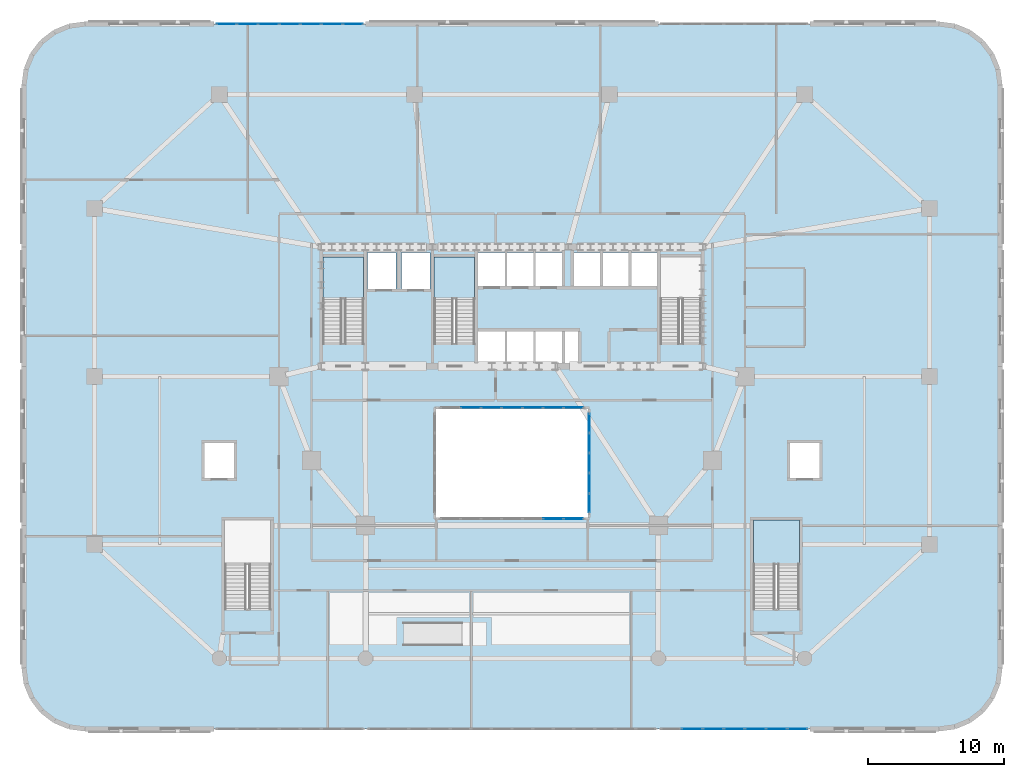
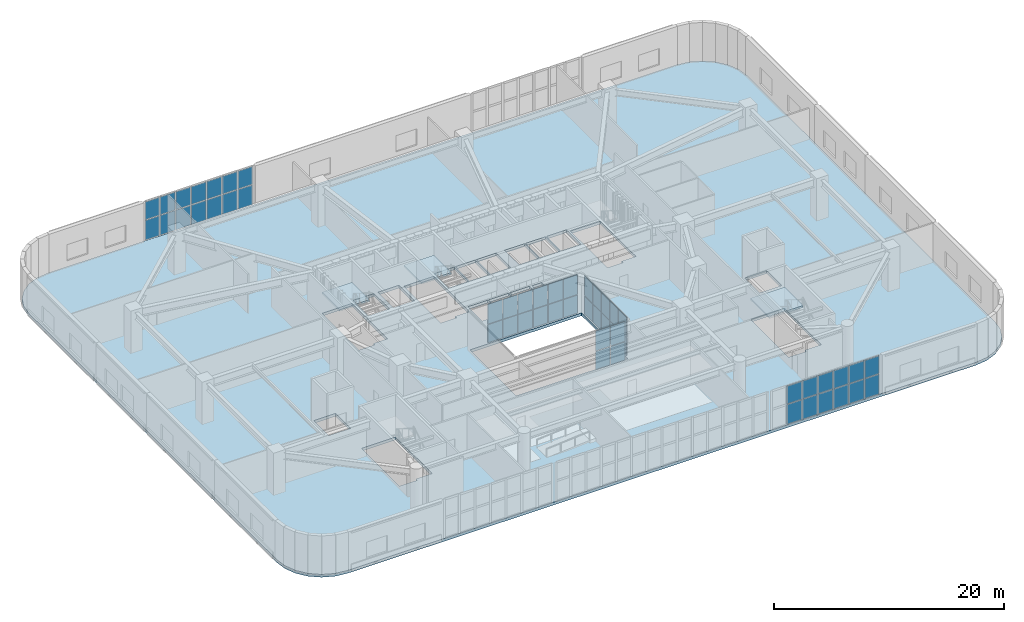
# One storey, part 12 of 25: 52 plates, 4 slabs, 8 elements without a shape of their own.
"""IFC4 building model written with IfcOpenShell, lengths in metres."""

from ifc_helpers import new_model, si_unit, direction, frame, origin, origin_2d, place, context, subcontext, project, spatial, polyline, rectangle, outline, extrude, material, layer, layer_set, type_object, element, aggregate, save


model = new_model("IFC4")

# Units and contexts
model_context = context("Model", 3, precision=1e-05, world=origin(), true_north=direction((0.0, 1.0)))
body_context = subcontext(model_context, "Body", "Model", "MODEL_VIEW")
ifc_project = project(units=[si_unit("LENGTHUNIT", "METRE"), si_unit("AREAUNIT", "SQUARE_METRE"), si_unit("VOLUMEUNIT", "CUBIC_METRE"), si_unit("PLANEANGLEUNIT", "RADIAN"), si_unit("MASSUNIT", "GRAM", prefix="KILO")], contexts=[model_context])

# Site, building, storey
site_placement = place(None, origin())
site = spatial("IfcSite", under=ifc_project, at=site_placement, CompositionType="ELEMENT")
building_placement = place(site_placement, origin())
building = spatial("IfcBuilding", under=site, at=building_placement, Name="Haldorwick Loom Tower", CompositionType="ELEMENT")
storey_placement = place(building_placement, frame((0.0, 0.0, 6.0)))
storey = spatial("IfcBuildingStorey", under=building, at=storey_placement, Name="L01", CompositionType="ELEMENT", Elevation=6.0)

# Curtain wall, plates
ifc_material_1 = material(Name="Thermally Broken Anodized Aluminium Curtain Wall Framing", Category="aluminium")
curtain_wall_type_1 = type_object("IfcCurtainWallType", Name="ARC-CW-01", PredefinedType="NOTDEFINED", material=ifc_material_1)
curtain_wall_1_placement = place(storey_placement, origin())
curtain_wall_1 = element("IfcCurtainWall", 1, at=curtain_wall_1_placement, inside=storey, type_object=curtain_wall_type_1, Name="L01 Facade Curtain Wall CW-01 Bay 20", PredefinedType="NOTDEFINED")
ifc_material_2 = material(Name="Triple-Glazed Low-E Argon Insulated Glazing Unit", Category="glass")
ifc_layer_1 = layer(ifc_material_2, 0.037109375, Name="Triple-Glazed Low-E Argon Insulated Glazing Unit", Category="glass")
ifc_layer_set_1 = layer_set([ifc_layer_1], Name="Triple-Glazed Low-E Argon Insulated Glazing Unit")
plate_type_1 = type_object("IfcPlateType", Name="ARC-CWP-01", PredefinedType="CURTAIN_PANEL", material=ifc_layer_set_1)
plate_1_placement = place(storey_placement, frame((24.26123046875, 52.0, 0.074951171875), z_axis=(0.0, 0.0, 1.0), x_axis=(-1.0, 0.0, 0.0)))
plate_1 = element("IfcPlate", 2, at=plate_1_placement, type_object=plate_type_1, Name="CW-01 panel 1.1", PredefinedType="CURTAIN_PANEL", context=body_context, shape_type="SweptSolid", body=[
    extrude(rectangle(XDim=1.447509765625, YDim=0.037109375, at=origin_2d()), origin(), (0.0, 0.0, 1.0), 2.08740234375),
])
plate_2_placement = place(storey_placement, frame((24.26123046875, 52.0, 2.2373046875), z_axis=(0.0, 0.0, 1.0), x_axis=(-1.0, 0.0, 0.0)))
plate_2 = element("IfcPlate", 3, at=plate_2_placement, type_object=plate_type_1, Name="CW-01 panel 1.2", PredefinedType="CURTAIN_PANEL", context=body_context, shape_type="SweptSolid", body=[
    extrude(rectangle(XDim=1.447509765625, YDim=0.037109375, at=origin_2d()), origin(), (0.0, 0.0, 1.0), 1.887451171875),
])
plate_3_placement = place(storey_placement, frame((22.719970703125, 52.0, 0.074951171875), z_axis=(0.0, 0.0, 1.0), x_axis=(-1.0, 0.0, 0.0)))
plate_3 = element("IfcPlate", 4, at=plate_3_placement, type_object=plate_type_1, Name="CW-01 panel 2.1", PredefinedType="CURTAIN_PANEL", context=body_context, shape_type="SweptSolid", body=[
    extrude(rectangle(XDim=1.485107421875, YDim=0.037109375, at=origin_2d()), origin(), (0.0, 0.0, 1.0), 2.08740234375),
])
plate_4_placement = place(storey_placement, frame((22.719970703125, 52.0, 2.2373046875), z_axis=(0.0, 0.0, 1.0), x_axis=(-1.0, 0.0, 0.0)))
plate_4 = element("IfcPlate", 5, at=plate_4_placement, type_object=plate_type_1, Name="CW-01 panel 2.2", PredefinedType="CURTAIN_PANEL", context=body_context, shape_type="SweptSolid", body=[
    extrude(rectangle(XDim=1.485107421875, YDim=0.037109375, at=origin_2d()), origin(), (0.0, 0.0, 1.0), 1.887451171875),
])
plate_5_placement = place(storey_placement, frame((21.159912109375, 52.0, 0.074951171875), z_axis=(0.0, 0.0, 1.0), x_axis=(-1.0, 0.0, 0.0)))
plate_5 = element("IfcPlate", 6, at=plate_5_placement, type_object=plate_type_1, Name="CW-01 panel 3.1", PredefinedType="CURTAIN_PANEL", context=body_context, shape_type="SweptSolid", body=[
    extrude(rectangle(XDim=1.485107421875, YDim=0.037109375, at=origin_2d()), origin(), (0.0, 0.0, 1.0), 2.08740234375),
])
plate_6_placement = place(storey_placement, frame((21.159912109375, 52.0, 2.2373046875), z_axis=(0.0, 0.0, 1.0), x_axis=(-1.0, 0.0, 0.0)))
plate_6 = element("IfcPlate", 7, at=plate_6_placement, type_object=plate_type_1, Name="CW-01 panel 3.2", PredefinedType="CURTAIN_PANEL", context=body_context, shape_type="SweptSolid", body=[
    extrude(rectangle(XDim=1.485107421875, YDim=0.037109375, at=origin_2d()), origin(), (0.0, 0.0, 1.0), 1.887451171875),
])
plate_7_placement = place(storey_placement, frame((19.60009765625, 52.0, 0.074951171875), z_axis=(0.0, 0.0, 1.0), x_axis=(-1.0, 0.0, 0.0)))
plate_7 = element("IfcPlate", 8, at=plate_7_placement, type_object=plate_type_1, Name="CW-01 panel 4.1", PredefinedType="CURTAIN_PANEL", context=body_context, shape_type="SweptSolid", body=[
    extrude(rectangle(XDim=1.485107421875, YDim=0.037109375, at=origin_2d()), origin(), (0.0, 0.0, 1.0), 2.08740234375),
])
plate_8_placement = place(storey_placement, frame((19.60009765625, 52.0, 2.2373046875), z_axis=(0.0, 0.0, 1.0), x_axis=(-1.0, 0.0, 0.0)))
plate_8 = element("IfcPlate", 9, at=plate_8_placement, type_object=plate_type_1, Name="CW-01 panel 4.2", PredefinedType="CURTAIN_PANEL", context=body_context, shape_type="SweptSolid", body=[
    extrude(rectangle(XDim=1.485107421875, YDim=0.037109375, at=origin_2d()), origin(), (0.0, 0.0, 1.0), 1.887451171875),
])
plate_9_placement = place(storey_placement, frame((18.0400390625, 52.0, 0.074951171875), z_axis=(0.0, 0.0, 1.0), x_axis=(-1.0, 0.0, 0.0)))
plate_9 = element("IfcPlate", 10, at=plate_9_placement, type_object=plate_type_1, Name="CW-01 panel 5.1", PredefinedType="CURTAIN_PANEL", context=body_context, shape_type="SweptSolid", body=[
    extrude(rectangle(XDim=1.485107421875, YDim=0.037109375, at=origin_2d()), origin(), (0.0, 0.0, 1.0), 2.08740234375),
])
plate_10_placement = place(storey_placement, frame((18.0400390625, 52.0, 2.2373046875), z_axis=(0.0, 0.0, 1.0), x_axis=(-1.0, 0.0, 0.0)))
plate_10 = element("IfcPlate", 11, at=plate_10_placement, type_object=plate_type_1, Name="CW-01 panel 5.2", PredefinedType="CURTAIN_PANEL", context=body_context, shape_type="SweptSolid", body=[
    extrude(rectangle(XDim=1.485107421875, YDim=0.037109375, at=origin_2d()), origin(), (0.0, 0.0, 1.0), 1.887451171875),
])
plate_11_placement = place(storey_placement, frame((16.47998046875, 52.0, 0.074951171875), z_axis=(0.0, 0.0, 1.0), x_axis=(-1.0, 0.0, 0.0)))
plate_11 = element("IfcPlate", 12, at=plate_11_placement, type_object=plate_type_1, Name="CW-01 panel 6.1", PredefinedType="CURTAIN_PANEL", context=body_context, shape_type="SweptSolid", body=[
    extrude(rectangle(XDim=1.485107421875, YDim=0.037109375, at=origin_2d()), origin(), (0.0, 0.0, 1.0), 2.08740234375),
])
plate_12_placement = place(storey_placement, frame((16.47998046875, 52.0, 2.2373046875), z_axis=(0.0, 0.0, 1.0), x_axis=(-1.0, 0.0, 0.0)))
plate_12 = element("IfcPlate", 13, at=plate_12_placement, type_object=plate_type_1, Name="CW-01 panel 6.2", PredefinedType="CURTAIN_PANEL", context=body_context, shape_type="SweptSolid", body=[
    extrude(rectangle(XDim=1.485107421875, YDim=0.037109375, at=origin_2d()), origin(), (0.0, 0.0, 1.0), 1.887451171875),
])
plate_13_placement = place(storey_placement, frame((14.938720703125, 52.0, 0.074951171875), z_axis=(0.0, 0.0, 1.0), x_axis=(-1.0, 0.0, 0.0)))
plate_13 = element("IfcPlate", 14, at=plate_13_placement, type_object=plate_type_1, Name="CW-01 panel 7.1", PredefinedType="CURTAIN_PANEL", context=body_context, shape_type="SweptSolid", body=[
    extrude(rectangle(XDim=1.447509765625, YDim=0.037109375, at=origin_2d()), origin(), (0.0, 0.0, 1.0), 2.08740234375),
])
plate_14_placement = place(storey_placement, frame((14.938720703125, 52.0, 2.2373046875), z_axis=(0.0, 0.0, 1.0), x_axis=(-1.0, 0.0, 0.0)))
plate_14 = element("IfcPlate", 15, at=plate_14_placement, type_object=plate_type_1, Name="CW-01 panel 7.2", PredefinedType="CURTAIN_PANEL", context=body_context, shape_type="SweptSolid", body=[
    extrude(rectangle(XDim=1.447509765625, YDim=0.037109375, at=origin_2d()), origin(), (0.0, 0.0, 1.0), 1.887451171875),
])
aggregate(curtain_wall_1, [plate_1, plate_2, plate_3, plate_4, plate_5, plate_6, plate_7, plate_8, plate_9, plate_10, plate_11, plate_12, plate_13, plate_14])

curtain_wall_2_placement = place(storey_placement, origin())
curtain_wall_2 = element("IfcCurtainWall", 16, at=curtain_wall_2_placement, inside=storey, type_object=curtain_wall_type_1, Name="L01 Facade Curtain Wall CW-01 Bay 41", PredefinedType="NOTDEFINED")
plate_15_placement = place(storey_placement, frame((49.280029296875, 0.0, 0.074951171875), z_axis=(0.0, 0.0, 1.0), x_axis=(1.0, 0.0, 0.0)))
plate_15 = element("IfcPlate", 17, at=plate_15_placement, type_object=plate_type_1, Name="CW-01 panel 2.1", PredefinedType="CURTAIN_PANEL", context=body_context, shape_type="SweptSolid", body=[
    extrude(rectangle(XDim=1.485107421875, YDim=0.037109375, at=origin_2d()), origin(), (0.0, 0.0, 1.0), 2.08740234375),
])
plate_16_placement = place(storey_placement, frame((49.280029296875, 0.0, 2.2373046875), z_axis=(0.0, 0.0, 1.0), x_axis=(1.0, 0.0, 0.0)))
plate_16 = element("IfcPlate", 18, at=plate_16_placement, type_object=plate_type_1, Name="CW-01 panel 2.2", PredefinedType="CURTAIN_PANEL", context=body_context, shape_type="SweptSolid", body=[
    extrude(rectangle(XDim=1.485107421875, YDim=0.037109375, at=origin_2d()), origin(), (0.0, 0.0, 1.0), 1.887451171875),
])
plate_17_placement = place(storey_placement, frame((50.840087890625, 0.0, 0.074951171875), z_axis=(0.0, 0.0, 1.0), x_axis=(1.0, 0.0, 0.0)))
plate_17 = element("IfcPlate", 19, at=plate_17_placement, type_object=plate_type_1, Name="CW-01 panel 3.1", PredefinedType="CURTAIN_PANEL", context=body_context, shape_type="SweptSolid", body=[
    extrude(rectangle(XDim=1.485107421875, YDim=0.037109375, at=origin_2d()), origin(), (0.0, 0.0, 1.0), 2.08740234375),
])
plate_18_placement = place(storey_placement, frame((50.840087890625, 0.0, 2.2373046875), z_axis=(0.0, 0.0, 1.0), x_axis=(1.0, 0.0, 0.0)))
plate_18 = element("IfcPlate", 20, at=plate_18_placement, type_object=plate_type_1, Name="CW-01 panel 3.2", PredefinedType="CURTAIN_PANEL", context=body_context, shape_type="SweptSolid", body=[
    extrude(rectangle(XDim=1.485107421875, YDim=0.037109375, at=origin_2d()), origin(), (0.0, 0.0, 1.0), 1.887451171875),
])
plate_19_placement = place(storey_placement, frame((52.39990234375, 0.0, 0.074951171875), z_axis=(0.0, 0.0, 1.0), x_axis=(1.0, 0.0, 0.0)))
plate_19 = element("IfcPlate", 21, at=plate_19_placement, type_object=plate_type_1, Name="CW-01 panel 4.1", PredefinedType="CURTAIN_PANEL", context=body_context, shape_type="SweptSolid", body=[
    extrude(rectangle(XDim=1.485107421875, YDim=0.037109375, at=origin_2d()), origin(), (0.0, 0.0, 1.0), 2.08740234375),
])
plate_20_placement = place(storey_placement, frame((52.39990234375, 0.0, 2.2373046875), z_axis=(0.0, 0.0, 1.0), x_axis=(1.0, 0.0, 0.0)))
plate_20 = element("IfcPlate", 22, at=plate_20_placement, type_object=plate_type_1, Name="CW-01 panel 4.2", PredefinedType="CURTAIN_PANEL", context=body_context, shape_type="SweptSolid", body=[
    extrude(rectangle(XDim=1.485107421875, YDim=0.037109375, at=origin_2d()), origin(), (0.0, 0.0, 1.0), 1.887451171875),
])
plate_21_placement = place(storey_placement, frame((53.9599609375, 0.0, 0.074951171875), z_axis=(0.0, 0.0, 1.0), x_axis=(1.0, 0.0, 0.0)))
plate_21 = element("IfcPlate", 23, at=plate_21_placement, type_object=plate_type_1, Name="CW-01 panel 5.1", PredefinedType="CURTAIN_PANEL", context=body_context, shape_type="SweptSolid", body=[
    extrude(rectangle(XDim=1.485107421875, YDim=0.037109375, at=origin_2d()), origin(), (0.0, 0.0, 1.0), 2.08740234375),
])
plate_22_placement = place(storey_placement, frame((53.9599609375, 0.0, 2.2373046875), z_axis=(0.0, 0.0, 1.0), x_axis=(1.0, 0.0, 0.0)))
plate_22 = element("IfcPlate", 24, at=plate_22_placement, type_object=plate_type_1, Name="CW-01 panel 5.2", PredefinedType="CURTAIN_PANEL", context=body_context, shape_type="SweptSolid", body=[
    extrude(rectangle(XDim=1.485107421875, YDim=0.037109375, at=origin_2d()), origin(), (0.0, 0.0, 1.0), 1.887451171875),
])
plate_23_placement = place(storey_placement, frame((55.52001953125, 0.0, 0.074951171875), z_axis=(0.0, 0.0, 1.0), x_axis=(1.0, 0.0, 0.0)))
plate_23 = element("IfcPlate", 25, at=plate_23_placement, type_object=plate_type_1, Name="CW-01 panel 6.1", PredefinedType="CURTAIN_PANEL", context=body_context, shape_type="SweptSolid", body=[
    extrude(rectangle(XDim=1.485107421875, YDim=0.037109375, at=origin_2d()), origin(), (0.0, 0.0, 1.0), 2.08740234375),
])
plate_24_placement = place(storey_placement, frame((55.52001953125, 0.0, 2.2373046875), z_axis=(0.0, 0.0, 1.0), x_axis=(1.0, 0.0, 0.0)))
plate_24 = element("IfcPlate", 26, at=plate_24_placement, type_object=plate_type_1, Name="CW-01 panel 6.2", PredefinedType="CURTAIN_PANEL", context=body_context, shape_type="SweptSolid", body=[
    extrude(rectangle(XDim=1.485107421875, YDim=0.037109375, at=origin_2d()), origin(), (0.0, 0.0, 1.0), 1.887451171875),
])
plate_25_placement = place(storey_placement, frame((57.061279296875, 0.0, 0.074951171875), z_axis=(0.0, 0.0, 1.0), x_axis=(1.0, 0.0, 0.0)))
plate_25 = element("IfcPlate", 27, at=plate_25_placement, type_object=plate_type_1, Name="CW-01 panel 7.1", PredefinedType="CURTAIN_PANEL", context=body_context, shape_type="SweptSolid", body=[
    extrude(rectangle(XDim=1.447509765625, YDim=0.037109375, at=origin_2d()), origin(), (0.0, 0.0, 1.0), 2.08740234375),
])
plate_26_placement = place(storey_placement, frame((57.061279296875, 0.0, 2.2373046875), z_axis=(0.0, 0.0, 1.0), x_axis=(1.0, 0.0, 0.0)))
plate_26 = element("IfcPlate", 28, at=plate_26_placement, type_object=plate_type_1, Name="CW-01 panel 7.2", PredefinedType="CURTAIN_PANEL", context=body_context, shape_type="SweptSolid", body=[
    extrude(rectangle(XDim=1.447509765625, YDim=0.037109375, at=origin_2d()), origin(), (0.0, 0.0, 1.0), 1.887451171875),
])
aggregate(curtain_wall_2, [plate_15, plate_16, plate_17, plate_18, plate_19, plate_20, plate_21, plate_22, plate_23, plate_24, plate_25, plate_26])

curtain_wall_type_2 = type_object("IfcCurtainWallType", Name="ARC-CW-03", PredefinedType="NOTDEFINED", material=ifc_material_1)
curtain_wall_3_placement = place(storey_placement, origin())
curtain_wall_3 = element("IfcCurtainWall", 29, at=curtain_wall_3_placement, inside=storey, type_object=curtain_wall_type_2, Name="L01 Atrium Glazed Screen S", PredefinedType="NOTDEFINED")
ifc_layer_2 = layer(ifc_material_2, 0.04296875, Name="Triple-Glazed Low-E Argon Insulated Glazing Unit", Category="glass")
ifc_layer_set_2 = layer_set([ifc_layer_2], Name="Triple-Glazed Low-E Argon Insulated Glazing Unit")
plate_type_2 = type_object("IfcPlateType", Name="ARC-CWP-03", PredefinedType="CURTAIN_PANEL", material=ifc_layer_set_2)
plate_27_placement = place(storey_placement, frame((40.5263671875, 15.5, 0.066162109375), z_axis=(0.0, 0.0, 1.0), x_axis=(-1.0, 0.0, 0.0)))
plate_27 = element("IfcPlate", 30, at=plate_27_placement, type_object=plate_type_2, Name="CW-03 panel 1.1", PredefinedType="CURTAIN_PANEL", context=body_context, shape_type="SweptSolid", body=[
    extrude(rectangle(XDim=1.415283203125, YDim=0.04296875, at=origin_2d()), origin(), (0.0, 0.0, 1.0), 1.90087890625),
])
plate_28_placement = place(storey_placement, frame((40.5263671875, 15.5, 2.032958984375), z_axis=(0.0, 0.0, 1.0), x_axis=(-1.0, 0.0, 0.0)))
plate_28 = element("IfcPlate", 31, at=plate_28_placement, type_object=plate_type_2, Name="CW-03 panel 1.2", PredefinedType="CURTAIN_PANEL", context=body_context, shape_type="SweptSolid", body=[
    extrude(rectangle(XDim=1.415283203125, YDim=0.04296875, at=origin_2d()), origin(), (0.0, 0.0, 1.0), 2.10107421875),
])
plate_29_placement = place(storey_placement, frame((39.028564453125, 15.5, 0.066162109375), z_axis=(0.0, 0.0, 1.0), x_axis=(-1.0, 0.0, 0.0)))
plate_29 = element("IfcPlate", 32, at=plate_29_placement, type_object=plate_type_2, Name="CW-03 panel 2.1", PredefinedType="CURTAIN_PANEL", context=body_context, shape_type="SweptSolid", body=[
    extrude(rectangle(XDim=1.4482421875, YDim=0.04296875, at=origin_2d()), origin(), (0.0, 0.0, 1.0), 1.90087890625),
])
plate_30_placement = place(storey_placement, frame((39.028564453125, 15.5, 2.032958984375), z_axis=(0.0, 0.0, 1.0), x_axis=(-1.0, 0.0, 0.0)))
plate_30 = element("IfcPlate", 33, at=plate_30_placement, type_object=plate_type_2, Name="CW-03 panel 2.2", PredefinedType="CURTAIN_PANEL", context=body_context, shape_type="SweptSolid", body=[
    extrude(rectangle(XDim=1.4482421875, YDim=0.04296875, at=origin_2d()), origin(), (0.0, 0.0, 1.0), 2.10107421875),
])
aggregate(curtain_wall_3, [plate_27, plate_28, plate_29, plate_30])

curtain_wall_4_placement = place(storey_placement, origin())
curtain_wall_4 = element("IfcCurtainWall", 34, at=curtain_wall_4_placement, inside=storey, type_object=curtain_wall_type_2, Name="L01 Atrium Glazed Screen N", PredefinedType="NOTDEFINED")
plate_31_placement = place(storey_placement, frame((32.971435546875, 23.699951171875, 0.066162109375), z_axis=(0.0, 0.0, 1.0), x_axis=(1.0, 0.0, 0.0)))
plate_31 = element("IfcPlate", 35, at=plate_31_placement, type_object=plate_type_2, Name="CW-03 panel 2.1", PredefinedType="CURTAIN_PANEL", context=body_context, shape_type="SweptSolid", body=[
    extrude(rectangle(XDim=1.4482421875, YDim=0.04296875, at=origin_2d()), origin(), (0.0, 0.0, 1.0), 1.90087890625),
])
plate_32_placement = place(storey_placement, frame((32.971435546875, 23.699951171875, 2.032958984375), z_axis=(0.0, 0.0, 1.0), x_axis=(1.0, 0.0, 0.0)))
plate_32 = element("IfcPlate", 36, at=plate_32_placement, type_object=plate_type_2, Name="CW-03 panel 2.2", PredefinedType="CURTAIN_PANEL", context=body_context, shape_type="SweptSolid", body=[
    extrude(rectangle(XDim=1.4482421875, YDim=0.04296875, at=origin_2d()), origin(), (0.0, 0.0, 1.0), 2.10107421875),
])
plate_33_placement = place(storey_placement, frame((34.485595703125, 23.699951171875, 0.066162109375), z_axis=(0.0, 0.0, 1.0), x_axis=(1.0, 0.0, 0.0)))
plate_33 = element("IfcPlate", 37, at=plate_33_placement, type_object=plate_type_2, Name="CW-03 panel 3.1", PredefinedType="CURTAIN_PANEL", context=body_context, shape_type="SweptSolid", body=[
    extrude(rectangle(XDim=1.4482421875, YDim=0.04296875, at=origin_2d()), origin(), (0.0, 0.0, 1.0), 1.90087890625),
])
plate_34_placement = place(storey_placement, frame((34.485595703125, 23.699951171875, 2.032958984375), z_axis=(0.0, 0.0, 1.0), x_axis=(1.0, 0.0, 0.0)))
plate_34 = element("IfcPlate", 38, at=plate_34_placement, type_object=plate_type_2, Name="CW-03 panel 3.2", PredefinedType="CURTAIN_PANEL", context=body_context, shape_type="SweptSolid", body=[
    extrude(rectangle(XDim=1.4482421875, YDim=0.04296875, at=origin_2d()), origin(), (0.0, 0.0, 1.0), 2.10107421875),
])
plate_35_placement = place(storey_placement, frame((36.0, 23.699951171875, 0.066162109375), z_axis=(0.0, 0.0, 1.0), x_axis=(1.0, 0.0, 0.0)))
plate_35 = element("IfcPlate", 39, at=plate_35_placement, type_object=plate_type_2, Name="CW-03 panel 4.1", PredefinedType="CURTAIN_PANEL", context=body_context, shape_type="SweptSolid", body=[
    extrude(rectangle(XDim=1.4482421875, YDim=0.04296875, at=origin_2d()), origin(), (0.0, 0.0, 1.0), 1.90087890625),
])
plate_36_placement = place(storey_placement, frame((36.0, 23.699951171875, 2.032958984375), z_axis=(0.0, 0.0, 1.0), x_axis=(1.0, 0.0, 0.0)))
plate_36 = element("IfcPlate", 40, at=plate_36_placement, type_object=plate_type_2, Name="CW-03 panel 4.2", PredefinedType="CURTAIN_PANEL", context=body_context, shape_type="SweptSolid", body=[
    extrude(rectangle(XDim=1.4482421875, YDim=0.04296875, at=origin_2d()), origin(), (0.0, 0.0, 1.0), 2.10107421875),
])
plate_37_placement = place(storey_placement, frame((37.514404296875, 23.699951171875, 0.066162109375), z_axis=(0.0, 0.0, 1.0), x_axis=(1.0, 0.0, 0.0)))
plate_37 = element("IfcPlate", 41, at=plate_37_placement, type_object=plate_type_2, Name="CW-03 panel 5.1", PredefinedType="CURTAIN_PANEL", context=body_context, shape_type="SweptSolid", body=[
    extrude(rectangle(XDim=1.4482421875, YDim=0.04296875, at=origin_2d()), origin(), (0.0, 0.0, 1.0), 1.90087890625),
])
plate_38_placement = place(storey_placement, frame((37.514404296875, 23.699951171875, 2.032958984375), z_axis=(0.0, 0.0, 1.0), x_axis=(1.0, 0.0, 0.0)))
plate_38 = element("IfcPlate", 42, at=plate_38_placement, type_object=plate_type_2, Name="CW-03 panel 5.2", PredefinedType="CURTAIN_PANEL", context=body_context, shape_type="SweptSolid", body=[
    extrude(rectangle(XDim=1.4482421875, YDim=0.04296875, at=origin_2d()), origin(), (0.0, 0.0, 1.0), 2.10107421875),
])
plate_39_placement = place(storey_placement, frame((39.028564453125, 23.699951171875, 0.066162109375), z_axis=(0.0, 0.0, 1.0), x_axis=(1.0, 0.0, 0.0)))
plate_39 = element("IfcPlate", 43, at=plate_39_placement, type_object=plate_type_2, Name="CW-03 panel 6.1", PredefinedType="CURTAIN_PANEL", context=body_context, shape_type="SweptSolid", body=[
    extrude(rectangle(XDim=1.4482421875, YDim=0.04296875, at=origin_2d()), origin(), (0.0, 0.0, 1.0), 1.90087890625),
])
plate_40_placement = place(storey_placement, frame((39.028564453125, 23.699951171875, 2.032958984375), z_axis=(0.0, 0.0, 1.0), x_axis=(1.0, 0.0, 0.0)))
plate_40 = element("IfcPlate", 44, at=plate_40_placement, type_object=plate_type_2, Name="CW-03 panel 6.2", PredefinedType="CURTAIN_PANEL", context=body_context, shape_type="SweptSolid", body=[
    extrude(rectangle(XDim=1.4482421875, YDim=0.04296875, at=origin_2d()), origin(), (0.0, 0.0, 1.0), 2.10107421875),
])
plate_41_placement = place(storey_placement, frame((40.5263671875, 23.699951171875, 0.066162109375), z_axis=(0.0, 0.0, 1.0), x_axis=(1.0, 0.0, 0.0)))
plate_41 = element("IfcPlate", 45, at=plate_41_placement, type_object=plate_type_2, Name="CW-03 panel 7.1", PredefinedType="CURTAIN_PANEL", context=body_context, shape_type="SweptSolid", body=[
    extrude(rectangle(XDim=1.415283203125, YDim=0.04296875, at=origin_2d()), origin(), (0.0, 0.0, 1.0), 1.90087890625),
])
plate_42_placement = place(storey_placement, frame((40.5263671875, 23.699951171875, 2.032958984375), z_axis=(0.0, 0.0, 1.0), x_axis=(1.0, 0.0, 0.0)))
plate_42 = element("IfcPlate", 46, at=plate_42_placement, type_object=plate_type_2, Name="CW-03 panel 7.2", PredefinedType="CURTAIN_PANEL", context=body_context, shape_type="SweptSolid", body=[
    extrude(rectangle(XDim=1.415283203125, YDim=0.04296875, at=origin_2d()), origin(), (0.0, 0.0, 1.0), 2.10107421875),
])
aggregate(curtain_wall_4, [plate_31, plate_32, plate_33, plate_34, plate_35, plate_36, plate_37, plate_38, plate_39, plate_40, plate_41, plate_42])

curtain_wall_5_placement = place(storey_placement, origin())
curtain_wall_5 = element("IfcCurtainWall", 47, at=curtain_wall_5_placement, inside=storey, type_object=curtain_wall_type_2, Name="L01 Atrium Glazed Screen E", PredefinedType="NOTDEFINED")
plate_43_placement = place(storey_placement, frame((41.699951171875, 22.54345703125, 0.066162109375), z_axis=(0.0, 0.0, 1.0), x_axis=(0.0, -1.0, 0.0)))
plate_43 = element("IfcPlate", 48, at=plate_43_placement, type_object=plate_type_2, Name="CW-03 panel 1.1", PredefinedType="CURTAIN_PANEL", context=body_context, shape_type="SweptSolid", body=[
    extrude(rectangle(XDim=1.381103515625, YDim=0.04296875, at=origin_2d()), origin(), (0.0, 0.0, 1.0), 1.90087890625),
])
plate_44_placement = place(storey_placement, frame((41.699951171875, 22.54345703125, 2.032958984375), z_axis=(0.0, 0.0, 1.0), x_axis=(0.0, -1.0, 0.0)))
plate_44 = element("IfcPlate", 49, at=plate_44_placement, type_object=plate_type_2, Name="CW-03 panel 1.2", PredefinedType="CURTAIN_PANEL", context=body_context, shape_type="SweptSolid", body=[
    extrude(rectangle(XDim=1.381103515625, YDim=0.04296875, at=origin_2d()), origin(), (0.0, 0.0, 1.0), 2.10107421875),
])
plate_45_placement = place(storey_placement, frame((41.699951171875, 21.080078125, 0.066162109375), z_axis=(0.0, 0.0, 1.0), x_axis=(0.0, -1.0, 0.0)))
plate_45 = element("IfcPlate", 50, at=plate_45_placement, type_object=plate_type_2, Name="CW-03 panel 2.1", PredefinedType="CURTAIN_PANEL", context=body_context, shape_type="SweptSolid", body=[
    extrude(rectangle(XDim=1.4140625, YDim=0.04296875, at=origin_2d()), origin(), (0.0, 0.0, 1.0), 1.90087890625),
])
plate_46_placement = place(storey_placement, frame((41.699951171875, 21.080078125, 2.032958984375), z_axis=(0.0, 0.0, 1.0), x_axis=(0.0, -1.0, 0.0)))
plate_46 = element("IfcPlate", 51, at=plate_46_placement, type_object=plate_type_2, Name="CW-03 panel 2.2", PredefinedType="CURTAIN_PANEL", context=body_context, shape_type="SweptSolid", body=[
    extrude(rectangle(XDim=1.4140625, YDim=0.04296875, at=origin_2d()), origin(), (0.0, 0.0, 1.0), 2.10107421875),
])
plate_47_placement = place(storey_placement, frame((41.699951171875, 19.60009765625, 0.066162109375), z_axis=(0.0, 0.0, 1.0), x_axis=(0.0, -1.0, 0.0)))
plate_47 = element("IfcPlate", 52, at=plate_47_placement, type_object=plate_type_2, Name="CW-03 panel 3.1", PredefinedType="CURTAIN_PANEL", context=body_context, shape_type="SweptSolid", body=[
    extrude(rectangle(XDim=1.4140625, YDim=0.04296875, at=origin_2d()), origin(), (0.0, 0.0, 1.0), 1.90087890625),
])
plate_48_placement = place(storey_placement, frame((41.699951171875, 19.60009765625, 2.032958984375), z_axis=(0.0, 0.0, 1.0), x_axis=(0.0, -1.0, 0.0)))
plate_48 = element("IfcPlate", 53, at=plate_48_placement, type_object=plate_type_2, Name="CW-03 panel 3.2", PredefinedType="CURTAIN_PANEL", context=body_context, shape_type="SweptSolid", body=[
    extrude(rectangle(XDim=1.4140625, YDim=0.04296875, at=origin_2d()), origin(), (0.0, 0.0, 1.0), 2.10107421875),
])
plate_49_placement = place(storey_placement, frame((41.699951171875, 18.1201171875, 0.066162109375), z_axis=(0.0, 0.0, 1.0), x_axis=(0.0, -1.0, 0.0)))
plate_49 = element("IfcPlate", 54, at=plate_49_placement, type_object=plate_type_2, Name="CW-03 panel 4.1", PredefinedType="CURTAIN_PANEL", context=body_context, shape_type="SweptSolid", body=[
    extrude(rectangle(XDim=1.4140625, YDim=0.04296875, at=origin_2d()), origin(), (0.0, 0.0, 1.0), 1.90087890625),
])
plate_50_placement = place(storey_placement, frame((41.699951171875, 18.1201171875, 2.032958984375), z_axis=(0.0, 0.0, 1.0), x_axis=(0.0, -1.0, 0.0)))
plate_50 = element("IfcPlate", 55, at=plate_50_placement, type_object=plate_type_2, Name="CW-03 panel 4.2", PredefinedType="CURTAIN_PANEL", context=body_context, shape_type="SweptSolid", body=[
    extrude(rectangle(XDim=1.4140625, YDim=0.04296875, at=origin_2d()), origin(), (0.0, 0.0, 1.0), 2.10107421875),
])
plate_51_placement = place(storey_placement, frame((41.699951171875, 16.656494140625, 0.066162109375), z_axis=(0.0, 0.0, 1.0), x_axis=(0.0, -1.0, 0.0)))
plate_51 = element("IfcPlate", 56, at=plate_51_placement, type_object=plate_type_2, Name="CW-03 panel 5.1", PredefinedType="CURTAIN_PANEL", context=body_context, shape_type="SweptSolid", body=[
    extrude(rectangle(XDim=1.381103515625, YDim=0.04296875, at=origin_2d()), origin(), (0.0, 0.0, 1.0), 1.90087890625),
])
plate_52_placement = place(storey_placement, frame((41.699951171875, 16.656494140625, 2.032958984375), z_axis=(0.0, 0.0, 1.0), x_axis=(0.0, -1.0, 0.0)))
plate_52 = element("IfcPlate", 57, at=plate_52_placement, type_object=plate_type_2, Name="CW-03 panel 5.2", PredefinedType="CURTAIN_PANEL", context=body_context, shape_type="SweptSolid", body=[
    extrude(rectangle(XDim=1.381103515625, YDim=0.04296875, at=origin_2d()), origin(), (0.0, 0.0, 1.0), 2.10107421875),
])
aggregate(curtain_wall_5, [plate_43, plate_44, plate_45, plate_46, plate_47, plate_48, plate_49, plate_50, plate_51, plate_52])

# Slab
ifc_material_3 = material(Name="Concrete C40 (40 MPa)", Category="concrete")
ifc_layer_3 = layer(ifc_material_3, 0.300048828125, Name="Concrete C40 (40 MPa)", Category="concrete")
ifc_layer_set_3 = layer_set([ifc_layer_3], Name="Concrete C40 (40 MPa)")
slab_type_1 = type_object("IfcSlabType", Name="STR-SLB-CONC300", PredefinedType="FLOOR", material=ifc_layer_set_3)
slab_1_placement = place(storey_placement, frame((0.0, 0.0, -0.300048828125)))
element("IfcSlab", 58, at=slab_1_placement, inside=storey, type_object=slab_type_1, Name="L01 Structural Floor Slab", PredefinedType="FLOOR", context=body_context, shape_type="SweptSolid", body=[
    extrude(outline(polyline([(1.318115234375, 1.318115234375), (2.25, 0.602783203125), (3.335205078125, 0.1533203125), (4.5, 0.0), (67.5, 0.0), (68.664794921875, 0.1533203125), (69.75, 0.602783203125), (70.681884765625, 1.318115234375), (71.397216796875, 2.25), (71.8466796875, 3.335205078125), (72.0, 4.5), (72.0, 47.5), (71.8466796875, 48.664794921875), (71.397216796875, 49.75), (70.681884765625, 50.681884765625), (69.75, 51.397216796875), (68.664794921875, 51.8466796875), (67.5, 52.0), (4.5, 52.0), (3.335205078125, 51.8466796875), (2.25, 51.397216796875), (1.318115234375, 50.681884765625), (0.602783203125, 49.75), (0.1533203125, 48.664794921875), (0.0, 47.5), (0.0, 4.5), (0.1533203125, 3.335205078125), (0.602783203125, 2.25), (1.318115234375, 1.318115234375)]), holes=[polyline([(18.199951171875, 9.0400390625), (16.570068359375, 9.0400390625), (16.570068359375, 8.800048828125), (14.800048828125, 8.800048828125), (14.800048828125, 15.39990234375), (18.199951171875, 15.39990234375), (18.199951171875, 9.0400390625)]), polyline([(57.199951171875, 15.39990234375), (57.199951171875, 9.0400390625), (55.570068359375, 9.0400390625), (55.570068359375, 8.800048828125), (53.800048828125, 8.800048828125), (53.800048828125, 15.39990234375), (57.199951171875, 15.39990234375)]), polyline([(30.39990234375, 15.60009765625), (30.39990234375, 23.60009765625), (41.60009765625, 23.60009765625), (41.60009765625, 15.60009765625), (30.39990234375, 15.60009765625)]), polyline([(15.5, 18.5), (13.300048828125, 18.5), (13.300048828125, 21.10009765625), (15.5, 21.10009765625), (15.5, 18.5)]), polyline([(33.5, 26.85009765625), (33.5, 29.35009765625), (35.5, 29.35009765625), (35.5, 26.85009765625), (33.5, 26.85009765625)]), polyline([(22.050048828125, 28.39990234375), (22.050048828125, 34.800048828125), (25.050048828125, 34.800048828125), (25.050048828125, 28.639892578125), (23.6201171875, 28.639892578125), (23.6201171875, 28.39990234375), (22.050048828125, 28.39990234375)]), polyline([(31.820068359375, 28.39990234375), (30.25, 28.39990234375), (30.25, 34.800048828125), (33.25, 34.800048828125), (33.25, 28.639892578125), (31.820068359375, 28.639892578125), (31.820068359375, 28.39990234375)]), polyline([(27.449951171875, 32.449951171875), (25.35009765625, 32.449951171875), (25.35009765625, 35.14990234375), (27.449951171875, 35.14990234375), (27.449951171875, 32.449951171875)]), polyline([(29.949951171875, 32.449951171875), (27.85009765625, 32.449951171875), (27.85009765625, 35.14990234375), (29.949951171875, 35.14990234375), (29.949951171875, 32.449951171875)]), polyline([(33.5, 32.64990234375), (33.5, 35.14990234375), (35.5, 35.14990234375), (35.5, 32.64990234375), (33.5, 32.64990234375)]), polyline([(35.60009765625, 32.64990234375), (35.60009765625, 35.14990234375), (37.60009765625, 35.14990234375), (37.60009765625, 32.64990234375), (35.60009765625, 32.64990234375)]), polyline([(58.699951171875, 18.5), (56.5, 18.5), (56.5, 21.10009765625), (58.699951171875, 21.10009765625), (58.699951171875, 18.5)]), polyline([(37.60009765625, 26.85009765625), (35.60009765625, 26.85009765625), (35.60009765625, 29.35009765625), (37.60009765625, 29.35009765625), (37.60009765625, 26.85009765625)]), polyline([(37.699951171875, 26.85009765625), (37.699951171875, 29.35009765625), (39.699951171875, 29.35009765625), (39.699951171875, 26.85009765625), (37.699951171875, 26.85009765625)]), polyline([(39.89990234375, 26.89990234375), (39.89990234375, 29.300048828125), (40.89990234375, 29.300048828125), (40.89990234375, 26.89990234375), (39.89990234375, 26.89990234375)]), polyline([(48.52001953125, 28.39990234375), (46.949951171875, 28.39990234375), (46.949951171875, 34.800048828125), (49.949951171875, 34.800048828125), (49.949951171875, 28.639892578125), (48.52001953125, 28.639892578125), (48.52001953125, 28.39990234375)]), polyline([(39.699951171875, 32.64990234375), (37.699951171875, 32.64990234375), (37.699951171875, 35.14990234375), (39.699951171875, 35.14990234375), (39.699951171875, 32.64990234375)]), polyline([(42.550048828125, 32.64990234375), (40.550048828125, 32.64990234375), (40.550048828125, 35.14990234375), (42.550048828125, 35.14990234375), (42.550048828125, 32.64990234375)]), polyline([(42.64990234375, 32.64990234375), (42.64990234375, 35.14990234375), (44.64990234375, 35.14990234375), (44.64990234375, 32.64990234375), (42.64990234375, 32.64990234375)]), polyline([(44.75, 32.64990234375), (44.75, 35.14990234375), (46.75, 35.14990234375), (46.75, 32.64990234375), (44.75, 32.64990234375)])]), origin(), (0.0, 0.0, 1.0), 0.300048828125),
])

# Stair, slab
stair_type_1 = type_object("IfcStairType", Name="STR-STR-CORE", PredefinedType="HALF_TURN_STAIR", material=ifc_material_3)
stair_1_placement = place(storey_placement, origin())
stair_1 = element("IfcStair", 59, at=stair_1_placement, inside=storey, type_object=stair_type_1, Name="L01 Exit Stair ST-01", PredefinedType="HALF_TURN_STAIR")
ifc_layer_4 = layer(ifc_material_3, 0.199951171875, Name="Concrete C40 (40 MPa)", Category="concrete")
ifc_layer_set_4 = layer_set([ifc_layer_4], Name="Concrete C40 (40 MPa)")
slab_type_2 = type_object("IfcSlabType", Name="STR-SLB-LAND200", PredefinedType="LANDING", material=ifc_layer_set_4)
slab_2_placement = place(storey_placement, frame((0.0, 0.0, 2.050048828125)))
slab_2 = element("IfcSlab", 60, at=slab_2_placement, type_object=slab_type_2, Name="ST-01 landing 1", PredefinedType="LANDING", context=body_context, shape_type="SweptSolid", body=[
    extrude(outline(polyline([(25.050048828125, 31.760009765625), (25.050048828125, 34.800048828125), (22.050048828125, 34.800048828125), (22.050048828125, 31.760009765625), (25.050048828125, 31.760009765625)])), origin(), (0.0, 0.0, 1.0), 0.199951171875),
])
aggregate(stair_1, [slab_2])

stair_2_placement = place(storey_placement, origin())
stair_2 = element("IfcStair", 61, at=stair_2_placement, inside=storey, type_object=stair_type_1, Name="L01 Exit Stair ST-03", PredefinedType="HALF_TURN_STAIR")
slab_3_placement = place(storey_placement, frame((0.0, 0.0, 2.050048828125)))
slab_3 = element("IfcSlab", 62, at=slab_3_placement, type_object=slab_type_2, Name="ST-03 landing 1", PredefinedType="LANDING", context=body_context, shape_type="SweptSolid", body=[
    extrude(outline(polyline([(33.25, 31.760009765625), (33.25, 34.800048828125), (30.25, 34.800048828125), (30.25, 31.760009765625), (33.25, 31.760009765625)])), origin(), (0.0, 0.0, 1.0), 0.199951171875),
])
aggregate(stair_2, [slab_3])

stair_type_2 = type_object("IfcStairType", Name="STR-STR-POD", PredefinedType="HALF_TURN_STAIR", material=ifc_material_3)
stair_3_placement = place(storey_placement, origin())
stair_3 = element("IfcStair", 63, at=stair_3_placement, inside=storey, type_object=stair_type_2, Name="L01 Exit Stair ST-P2", PredefinedType="HALF_TURN_STAIR")
slab_4_placement = place(storey_placement, frame((0.0, 0.0, 2.050048828125)))
slab_4 = element("IfcSlab", 64, at=slab_4_placement, type_object=slab_type_2, Name="ST-P2 landing 1", PredefinedType="LANDING", context=body_context, shape_type="SweptSolid", body=[
    extrude(outline(polyline([(57.199951171875, 12.159912109375), (57.199951171875, 15.39990234375), (53.800048828125, 15.39990234375), (53.800048828125, 12.159912109375), (57.199951171875, 12.159912109375)])), origin(), (0.0, 0.0, 1.0), 0.199951171875),
])
aggregate(stair_3, [slab_4])

save(model, "model.ifc")
